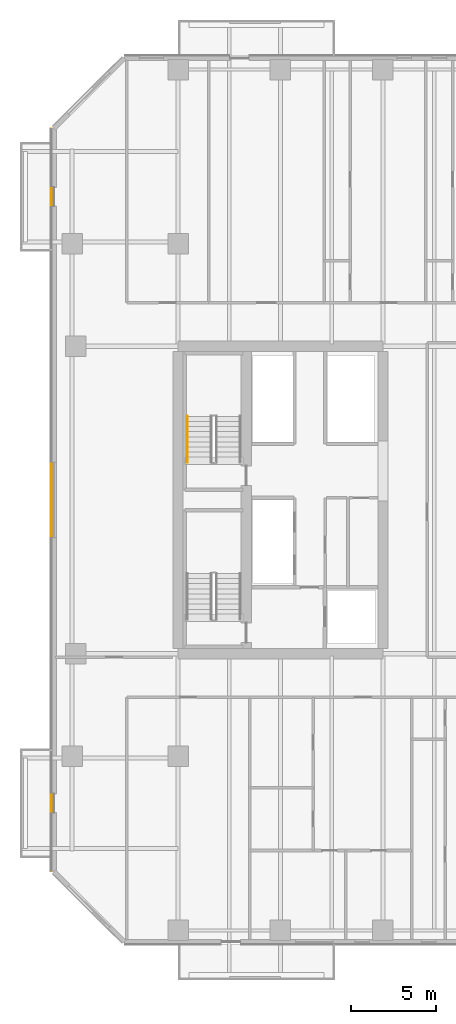
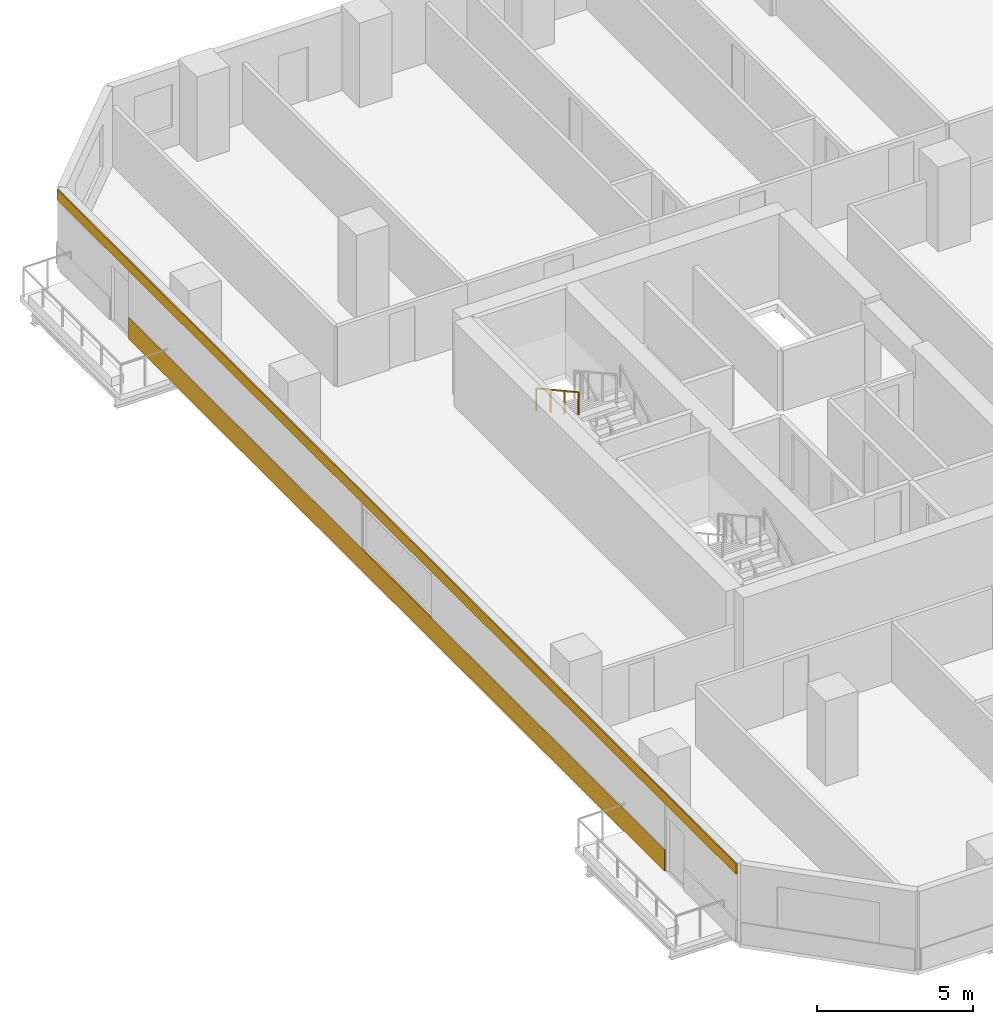
# One storey, part 19 of 26: 2 coverings, 1 railing.
"""IFC4 building model written with IfcOpenShell, lengths in metres."""

import ifcopenshell
import ifcopenshell.guid

model = None  # the IFC model being written
_history = None  # IfcOwnerHistory: only IFC2X3 demands one
_inside = {}  # id of a spatial element -> (the spatial element, [elements in it])
_under = {}  # id of a project, library or spatial element -> (it, [spatial elements below it])
_declared = {}  # id of a project -> (the project, [libraries it declares])
_typed = {}  # id of a type object -> (the type object, [elements of that type])
_made_of = {}  # id of a material, layer set ... -> (it, [elements and type objects made of it])


def new_model(schema):
    """Start an empty IFC model of exactly this schema.

    Asked for "IFC4X3", IfcOpenShell would pick the latest addendum, in which some entities
    have other attributes; the version numbers below select the first issue.
    IFC2X3 requires an IfcOwnerHistory on every rooted entity: one is made here for all.
    """
    global model, _history
    if schema == "IFC4X3":
        model = ifcopenshell.file(schema_version=(4, 3, 0, 0))
    else:
        model = ifcopenshell.file(schema=schema)
    _inside.clear()
    _under.clear()
    _declared.clear()
    _typed.clear()
    _made_of.clear()
    _history = None
    if model.schema == "IFC2X3":
        org = make("IfcOrganization", Name="unknown")
        user = make(
            "IfcPersonAndOrganization",
            ThePerson=make("IfcPerson", FamilyName="unknown"),
            TheOrganization=org,
        )
        app = make(
            "IfcApplication",
            ApplicationDeveloper=org,
            Version="unknown",
            ApplicationFullName="unknown",
            ApplicationIdentifier="unknown",
        )
        _history = make(
            "IfcOwnerHistory",
            OwningUser=user,
            OwningApplication=app,
            ChangeAction="ADDED",
            CreationDate=0,
        )
    return model


def make(cls, **values):
    """One entity of the class cls with the attributes given. An attribute that is None is left unset."""
    return model.create_entity(
        cls, **{name: value for name, value in values.items() if value is not None}
    )


def rooted(cls, **values):
    """An entity with a GlobalId (a new one), such as an element, a storey or a relation."""
    return make(cls, GlobalId=ifcopenshell.guid.new(), OwnerHistory=_history, **values)


def si_unit(unit_type, name, prefix=None):
    """IfcSIUnit, for example si_unit("LENGTHUNIT", "METRE", prefix="MILLI")."""
    return make("IfcSIUnit", UnitType=unit_type, Prefix=prefix, Name=name)


def assignment(units):
    """IfcUnitAssignment: the units of a project."""
    return None if units is None else make("IfcUnitAssignment", Units=units)


def point(xyz):
    """IfcCartesianPoint."""
    return None if xyz is None else make("IfcCartesianPoint", Coordinates=xyz)


def direction(xyz):
    """IfcDirection."""
    return None if xyz is None else make("IfcDirection", DirectionRatios=xyz)


def frame(location, z_axis=None, x_axis=None):
    """IfcAxis2Placement3D, a coordinate frame: its origin and axes. An axis left out is left unset."""
    return make(
        "IfcAxis2Placement3D",
        Location=point(location),
        Axis=direction(z_axis),
        RefDirection=direction(x_axis),
    )


def frame_2d(location, x_axis=None):
    """IfcAxis2Placement2D, a coordinate frame in the plane: its origin and x axis."""
    return make(
        "IfcAxis2Placement2D", Location=point(location), RefDirection=direction(x_axis)
    )


def origin():
    """The frame at (0, 0, 0) with its axes left unset."""
    return frame((0.0, 0.0, 0.0))


def origin_2d():
    """The frame at (0, 0) in the plane with its x axis left unset."""
    return frame_2d((0.0, 0.0))


def place(relative_to, where):
    """IfcLocalPlacement: puts the frame where relative to a parent placement (None: the world)."""
    return make(
        "IfcLocalPlacement", PlacementRelTo=relative_to, RelativePlacement=where
    )


def context(
    kind, dimensions, precision=None, world=None, true_north=None, identifier=None
):
    """IfcGeometricRepresentationContext, for example the 3D "Model" context."""
    return make(
        "IfcGeometricRepresentationContext",
        ContextIdentifier=identifier,
        ContextType=kind,
        CoordinateSpaceDimension=dimensions,
        Precision=precision,
        WorldCoordinateSystem=world,
        TrueNorth=true_north,
    )


def subcontext(parent, identifier, kind, view, scale=None):
    """IfcGeometricRepresentationSubContext, for example "Body" below "Model"."""
    return make(
        "IfcGeometricRepresentationSubContext",
        ContextIdentifier=identifier,
        ContextType=kind,
        ParentContext=parent,
        TargetScale=scale,
        TargetView=view,
    )


def project(units=None, contexts=None):
    """IfcProject with its units and contexts."""
    return rooted(
        "IfcProject",
        Name="project",
        RepresentationContexts=contexts,
        UnitsInContext=assignment(units),
    )


def spatial(cls, under=None, at=None, **own):
    """A site, building, storey or space (cls), placed at a placement, below another one or the project."""
    s = rooted(cls, ObjectPlacement=at, **own)
    if under is not None:
        _under.setdefault(under.id(), (under, []))[1].append(s)
    return s


def profile(cls, at=None, kind="AREA", **sizes):
    """A parametric profile (cls). Its sizes go by their IFC names, for example OverallWidth=200.0."""
    return make(cls, ProfileType=kind, Position=at, **sizes)


def rectangle(**sizes):
    """IfcRectangleProfileDef."""
    return profile("IfcRectangleProfileDef", **sizes)


def extrude(swept, where, along, depth):
    """IfcExtrudedAreaSolid: the profile swept, set in the frame where, extruded along a direction by depth."""
    return make(
        "IfcExtrudedAreaSolid",
        SweptArea=swept,
        Position=where,
        ExtrudedDirection=direction(along),
        Depth=depth,
    )


def shape(context_of_items, identifier, shape_type, items):
    """IfcShapeRepresentation: the items that make up one representation, for example the "Body"."""
    return make(
        "IfcShapeRepresentation",
        ContextOfItems=context_of_items,
        RepresentationIdentifier=identifier,
        RepresentationType=shape_type,
        Items=items,
    )


def material(Name=None, Category=None):
    """IfcMaterial."""
    return make("IfcMaterial", Name=Name, Category=Category)


def layer(
    of_material, thickness, ventilated=None, Name=None, Category=None, Priority=None
):
    """IfcMaterialLayer: one layer of a wall or slab, of a material (None: an air gap)."""
    return make(
        "IfcMaterialLayer",
        Material=of_material,
        LayerThickness=thickness,
        IsVentilated=ventilated,
        Name=Name,
        Category=Category,
        Priority=Priority,
    )


def layer_set(layers, Name=None):
    """IfcMaterialLayerSet."""
    return make("IfcMaterialLayerSet", MaterialLayers=layers, LayerSetName=Name)


def made_of(thing, what):
    """Note that an element or type object is made of a material, layer set ...; save() writes the relation."""
    if what is not None:
        _made_of.setdefault(what.id(), (what, []))[1].append(thing)
    return thing


def type_object(cls, material=None, **own):
    """A type object (cls), such as IfcWallType, which elements share."""
    return made_of(rooted(cls, **own), material)


def element(
    cls,
    number,
    at=None,
    inside=None,
    cuts=None,
    type_object=None,
    material=None,
    context=None,
    identifier="Body",
    shape_type=None,
    held_by="IfcProductDefinitionShape",
    body=None,
    shapes=None,
    **own,
):
    """One element of the class cls, such as IfcWall. Its Tag is "e" and its number.

    at: its placement. inside: the storey or other place that contains it. cuts: it is an
    opening in that element (IfcRelVoidsElement). A single representation is given by context,
    identifier, shape_type and body (its items); several are given by shapes. held_by: the class
    of the entity that holds the representations. save() writes the other relations.
    """
    e = rooted(cls, Tag="e%d" % number, ObjectPlacement=at, **own)
    if body is not None:
        shapes = [shape(context, identifier, shape_type, body)]
    if shapes is not None:
        e.Representation = make(held_by, Representations=shapes)
    if inside is not None:
        _inside.setdefault(inside.id(), (inside, []))[1].append(e)
    if cuts is not None:
        rooted(
            "IfcRelVoidsElement", RelatingBuildingElement=cuts, RelatedOpeningElement=e
        )
    if type_object is not None:
        _typed.setdefault(type_object.id(), (type_object, []))[1].append(e)
    return made_of(e, material)


def aggregate(whole, parts):
    """IfcRelAggregates: a whole, such as a stair, and the parts it consists of."""
    return rooted("IfcRelAggregates", RelatingObject=whole, RelatedObjects=parts)


def save(model, path):
    """Write the relations noted so far, then the file.

    IfcRelAggregates (storeys below a building ...), IfcRelContainedInSpatialStructure (elements
    in a storey), IfcRelDefinesByType, IfcRelAssociatesMaterial and IfcRelDeclares: one each for
    every whole, place, type object, material and project.
    """
    for whole, parts in _under.values():
        aggregate(whole, parts)
    for where, things in _inside.values():
        rooted(
            "IfcRelContainedInSpatialStructure",
            RelatedElements=things,
            RelatingStructure=where,
        )
    for kind, things in _typed.values():
        rooted("IfcRelDefinesByType", RelatedObjects=things, RelatingType=kind)
    for what, things in _made_of.values():
        rooted("IfcRelAssociatesMaterial", RelatedObjects=things, RelatingMaterial=what)
    for by, libraries in _declared.values():
        rooted("IfcRelDeclares", RelatingContext=by, RelatedDefinitions=libraries)
    model.write(path)


model = new_model("IFC4")

# Units and contexts
model_context = context("Model", 3, precision=1e-05, world=origin(), true_north=direction((0.0, 1.0)))
body_context = subcontext(model_context, "Body", "Model", "MODEL_VIEW")
ifc_project = project(units=[si_unit("LENGTHUNIT", "METRE"), si_unit("AREAUNIT", "SQUARE_METRE"), si_unit("VOLUMEUNIT", "CUBIC_METRE"), si_unit("PLANEANGLEUNIT", "RADIAN"), si_unit("MASSUNIT", "GRAM", prefix="KILO")], contexts=[model_context])

# Site, building, storey
site_placement = place(None, origin())
site = spatial("IfcSite", under=ifc_project, at=site_placement, CompositionType="ELEMENT")
building_placement = place(site_placement, origin())
building = spatial("IfcBuilding", under=site, at=building_placement, Name="Tanjung Sevakor Pilgrim Tower", CompositionType="ELEMENT")
storey_placement = place(building_placement, frame((0.0, 0.0, 45.5400390625)))
storey = spatial("IfcBuildingStorey", under=building, at=storey_placement, Name="L12", CompositionType="ELEMENT", Elevation=45.5400390625)

# Coverings
ifc_material_1 = material(Name="Reconstructed Limestone Cladding", Category="masonry")
ifc_layer = layer(ifc_material_1, 0.044921875)
ifc_layer_set = layer_set([ifc_layer], Name="COV-CLAD-LIMESTONE")
covering_type = type_object("IfcCoveringType", Name="COV-CLAD-LIMESTONE", PredefinedType="CLADDING", material=ifc_layer_set)
covering_1_placement = place(storey_placement, frame((16.577392578125, 33.60009765625, 0.009765625), z_axis=(0.0, 0.0, 1.0), x_axis=(0.0, -1.0, 0.0)))
element("IfcCovering", 1, at=covering_1_placement, inside=storey, type_object=covering_type, Name="L12 Warm Limestone Sill Spandrel EW-L12-MAIN-15-2", PredefinedType="CLADDING", context=body_context, shape_type="SweptSolid", body=[
    extrude(rectangle(XDim=34.280029296875, YDim=0.044921875, at=origin_2d()), origin(), (0.0, 0.0, 1.0), 0.840087890625),
])
covering_2_placement = place(storey_placement, frame((16.577392578125, 33.60009765625, 2.66015625), z_axis=(0.0, 0.0, 1.0), x_axis=(0.0, -1.0, 0.0)))
element("IfcCovering", 2, at=covering_2_placement, inside=storey, type_object=covering_type, Name="L12 Warm Limestone Cornice Spandrel EW-L12-MAIN-15", PredefinedType="CLADDING", context=body_context, shape_type="SweptSolid", body=[
    extrude(rectangle(XDim=43.444091796875, YDim=0.044921875, at=origin_2d()), origin(), (0.0, 0.0, 1.0), 0.409912109375),
])

# Railing
ifc_material_2 = material(Name="Steel S355J2", Category="steel")
railing_type = type_object("IfcRailingType", Name="RL-STAIR-HAND", PredefinedType="HANDRAIL", material=ifc_material_2)
railing_placement = place(storey_placement, frame((24.550048828125, 38.5, 1.81494140625)))
element("IfcRailing", 3, at=railing_placement, inside=storey, type_object=railing_type, Name="L12 TS-W2 stair handrail 2", PredefinedType="HANDRAIL", context=body_context, shape_type="SweptSolid", body=[
    extrude(rectangle(XDim=0.0479, YDim=0.0479), frame((0.0, 0.0, 0.8759765625), z_axis=(0.0, -0.876197507361, 0.481952205197), x_axis=(1.0, 0.0, 0.0)), (0.0, 0.0, 1.0), 3.08154296875),
    extrude(rectangle(XDim=0.042, YDim=0.042), origin(), (0.0, 0.0, 1.0), 0.851806640625),
    extrude(rectangle(XDim=0.042, YDim=0.042), frame((0.0, -0.89990234375, 0.4951171875)), (0.0, 0.0, 1.0), 0.851806640625),
    extrude(rectangle(XDim=0.042, YDim=0.042), frame((0.0, -1.800048828125, 0.989990234375)), (0.0, 0.0, 1.0), 0.851806640625),
    extrude(rectangle(XDim=0.042, YDim=0.042), frame((0.0, -2.699951171875, 1.485107421875)), (0.0, 0.0, 1.0), 0.851806640625),
])

save(model, "model.ifc")
